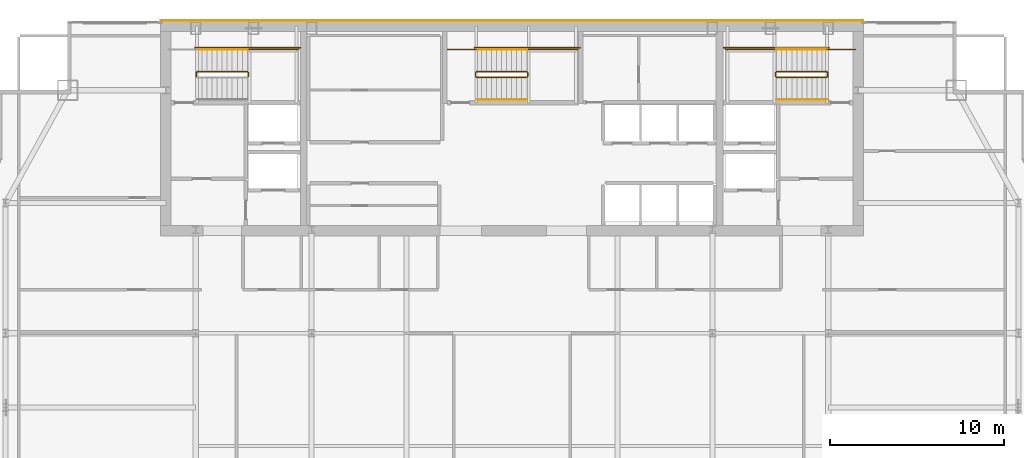
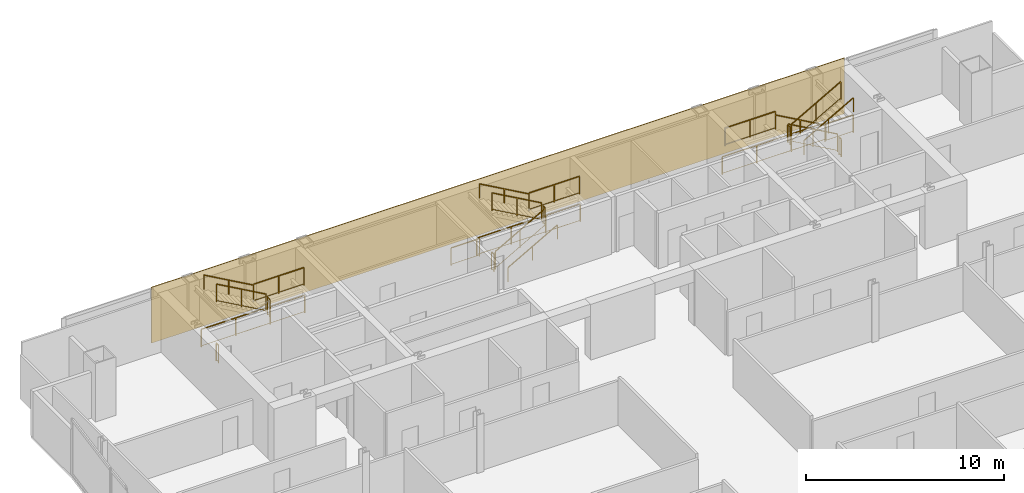
# One storey, part 32 of 32: 24 railings, 1 covering.
"""IFC4 building model written with IfcOpenShell, lengths in metres."""

from ifc_helpers import new_model, si_unit, direction, frame, origin, origin_2d, place, context, subcontext, project, spatial, polyline, rectangle, outline, extrude, material, layer, layer_set, type_object, element, save


model = new_model("IFC4")

# Units and contexts
model_context = context("Model", 3, precision=1e-05, world=origin(), true_north=direction((0.0, 1.0)))
body_context = subcontext(model_context, "Body", "Model", "MODEL_VIEW")
ifc_project = project(units=[si_unit("LENGTHUNIT", "METRE"), si_unit("AREAUNIT", "SQUARE_METRE"), si_unit("VOLUMEUNIT", "CUBIC_METRE"), si_unit("PLANEANGLEUNIT", "RADIAN"), si_unit("MASSUNIT", "GRAM", prefix="KILO")], contexts=[model_context])

# Site, building, storey
site_placement = place(None, origin())
site = spatial("IfcSite", under=ifc_project, at=site_placement, CompositionType="ELEMENT")
building_placement = place(site_placement, origin())
building = spatial("IfcBuilding", under=site, at=building_placement, Name="Khoronbel Lancet Exchange", CompositionType="ELEMENT")
storey_placement = place(building_placement, frame((0.0, 0.0, 195.800048828125)))
storey = spatial("IfcBuildingStorey", under=building, at=storey_placement, Name="L49", CompositionType="ELEMENT", Elevation=195.800048828125)

# Covering
ifc_material_1 = material(Name="Honed Egyptian Limestone & Bronze Rainscreen", Category="masonry")
ifc_layer = layer(ifc_material_1, 0.050048828125, Name="Honed Egyptian Limestone & Bronze Rainscreen")
ifc_layer_set = layer_set([ifc_layer], Name="Honed Egyptian Limestone & Bronze Rainscreen")
covering_type = type_object("IfcCoveringType", Name="COV-CLAD1", PredefinedType="CLADDING", material=ifc_layer_set)
covering_placement = place(storey_placement, origin())
element("IfcCovering", 1, at=covering_placement, inside=storey, type_object=covering_type, Name="Level L49 north rear-core stone and bronze rainscreen cladding", PredefinedType="CLADDING", context=body_context, shape_type="SweptSolid", body=[
    extrude(outline(polyline([(16.199951171875, 53.699951171875), (56.699951171875, 53.699951171875), (56.699951171875, 53.75), (16.199951171875, 53.75), (16.199951171875, 53.699951171875)])), origin(), (0.0, 0.0, 1.0), 3.43994140625),
])

# Railings
ifc_material_2 = material(Name="Painted Steel Balustrade", Category="steel")
railing_type_1 = type_object("IfcRailingType", Name="RL-STG110", PredefinedType="GUARDRAIL", material=ifc_material_2)
railing_1_placement = place(storey_placement, frame((21.25, 50.5, 1.800048828125)))
element("IfcRailing", 2, at=railing_1_placement, inside=storey, type_object=railing_type_1, Name="L49 ST1 stair guard 2", PredefinedType="GUARDRAIL", context=body_context, shape_type="SweptSolid", body=[
    extrude(rectangle(XDim=0.048095703125, YDim=0.048095703125, at=origin_2d()), frame((0.0, 0.0, 1.09619140625), z_axis=(0.0, 1.0, 0.0), x_axis=(-1.0, 0.0, 0.0)), (0.0, 0.0, 1.0), 0.219970703125),
    extrude(rectangle(XDim=0.02392578125, YDim=0.02392578125, at=origin_2d()), frame((0.0, 0.0, 0.080078125), z_axis=(0.0, 1.0, 0.0), x_axis=(-1.0, 0.0, 0.0)), (0.0, 0.0, 1.0), 0.219970703125),
    extrude(rectangle(XDim=0.0419921875, YDim=0.0419921875, at=origin_2d()), origin(), (0.0, 0.0, 1.0), 1.072021484375),
    extrude(rectangle(XDim=0.0419921875, YDim=0.0419921875, at=origin_2d()), frame((0.0, 0.219970703125, 0.0)), (0.0, 0.0, 1.0), 1.072021484375),
])
railing_2_placement = place(storey_placement, frame((21.199951171875, 52.050048828125, 1.800048828125)))
element("IfcRailing", 3, at=railing_2_placement, inside=storey, type_object=railing_type_1, Name="L49 ST1 stair guard 3", PredefinedType="GUARDRAIL", context=body_context, shape_type="SweptSolid", body=[
    extrude(rectangle(XDim=0.048095703125, YDim=0.048095703125, at=origin_2d()), frame((0.0, 0.0, 1.09619140625), z_axis=(1.0, 0.0, 0.0), x_axis=(0.0, 1.0, 0.0)), (0.0, 0.0, 1.0), 2.949951171875),
    extrude(rectangle(XDim=0.02392578125, YDim=0.02392578125, at=origin_2d()), frame((0.0, 0.0, 0.080078125), z_axis=(1.0, 0.0, 0.0), x_axis=(0.0, 1.0, 0.0)), (0.0, 0.0, 1.0), 2.949951171875),
    extrude(rectangle(XDim=0.0419921875, YDim=0.0419921875, at=origin_2d()), origin(), (0.0, 0.0, 1.0), 1.072021484375),
    extrude(rectangle(XDim=0.0419921875, YDim=0.0419921875, at=origin_2d()), frame((1.47509765625, 0.0, 0.0)), (0.0, 0.0, 1.0), 1.072021484375),
    extrude(rectangle(XDim=0.0419921875, YDim=0.0419921875, at=origin_2d()), frame((2.949951171875, 0.0, 0.0)), (0.0, 0.0, 1.0), 1.072021484375),
])
railing_3_placement = place(storey_placement, frame((21.199951171875, 50.77001953125, 1.963623046875)))
element("IfcRailing", 4, at=railing_3_placement, inside=storey, type_object=railing_type_1, Name="L49 ST1 stair guard 4", PredefinedType="GUARDRAIL", context=body_context, shape_type="SweptSolid", body=[
    extrude(rectangle(XDim=0.048095703125, YDim=0.048095703125, at=origin_2d()), frame((0.0, 0.0, 1.09619140625), z_axis=(-0.870928581787, 0.0, 0.491409610636), x_axis=(0.0, -1.0, 0.0)), (0.0, 0.0, 1.0), 3.32958984375),
    extrude(rectangle(XDim=0.02392578125, YDim=0.02392578125, at=origin_2d()), frame((0.0, 0.0, 0.080078125), z_axis=(-0.870928581787, 0.0, 0.491409610636), x_axis=(0.0, -1.0, 0.0)), (0.0, 0.0, 1.0), 3.32958984375),
    extrude(rectangle(XDim=0.0419921875, YDim=0.0419921875, at=origin_2d()), origin(), (0.0, 0.0, 1.0), 1.072021484375),
    extrude(rectangle(XDim=0.0419921875, YDim=0.0419921875, at=origin_2d()), frame((-1.449951171875, 0.0, 0.818115234375)), (0.0, 0.0, 1.0), 1.072021484375),
    extrude(rectangle(XDim=0.0419921875, YDim=0.0419921875, at=origin_2d()), frame((-2.89990234375, 0.0, 1.63623046875)), (0.0, 0.0, 1.0), 1.072021484375),
])
railing_4_placement = place(storey_placement, frame((18.25, 50.5, 0.0)))
element("IfcRailing", 5, at=railing_4_placement, inside=storey, type_object=railing_type_1, Name="L49 ST1 stair guard 5", PredefinedType="GUARDRAIL", context=body_context, shape_type="SweptSolid", body=[
    extrude(rectangle(XDim=0.048095703125, YDim=0.048095703125, at=origin_2d()), frame((0.0, 0.0, 1.09619140625), z_axis=(0.0, 1.0, 0.0), x_axis=(-1.0, 0.0, 0.0)), (0.0, 0.0, 1.0), 0.219970703125),
    extrude(rectangle(XDim=0.02392578125, YDim=0.02392578125, at=origin_2d()), frame((0.0, 0.0, 0.080078125), z_axis=(0.0, 1.0, 0.0), x_axis=(-1.0, 0.0, 0.0)), (0.0, 0.0, 1.0), 0.219970703125),
    extrude(rectangle(XDim=0.0419921875, YDim=0.0419921875, at=origin_2d()), origin(), (0.0, 0.0, 1.0), 1.072021484375),
    extrude(rectangle(XDim=0.0419921875, YDim=0.0419921875, at=origin_2d()), frame((0.0, 0.219970703125, 0.0)), (0.0, 0.0, 1.0), 1.072021484375),
])
railing_5_placement = place(storey_placement, frame((18.199951171875, 52.14990234375, 0.0)))
element("IfcRailing", 6, at=railing_5_placement, inside=storey, type_object=railing_type_1, Name="L49 ST1 stair guard 7", PredefinedType="GUARDRAIL", context=body_context, shape_type="SweptSolid", body=[
    extrude(rectangle(XDim=0.048095703125, YDim=0.048095703125, at=origin_2d()), frame((0.0, 0.0, 1.09619140625), z_axis=(1.0, 0.0, 0.0), x_axis=(0.0, 1.0, 0.0)), (0.0, 0.0, 1.0), 6.050048828125),
    extrude(rectangle(XDim=0.02392578125, YDim=0.02392578125, at=origin_2d()), frame((0.0, 0.0, 0.080078125), z_axis=(1.0, 0.0, 0.0), x_axis=(0.0, 1.0, 0.0)), (0.0, 0.0, 1.0), 6.050048828125),
    extrude(rectangle(XDim=0.0419921875, YDim=0.0419921875, at=origin_2d()), origin(), (0.0, 0.0, 1.0), 1.072021484375),
    extrude(rectangle(XDim=0.0419921875, YDim=0.0419921875, at=origin_2d()), frame((2.0166015625, 0.0, 0.0)), (0.0, 0.0, 1.0), 1.072021484375),
    extrude(rectangle(XDim=0.0419921875, YDim=0.0419921875, at=origin_2d()), frame((4.033447265625, 0.0, 0.0)), (0.0, 0.0, 1.0), 1.072021484375),
    extrude(rectangle(XDim=0.0419921875, YDim=0.0419921875, at=origin_2d()), frame((6.050048828125, 0.0, 0.0)), (0.0, 0.0, 1.0), 1.072021484375),
])
railing_6_placement = place(storey_placement, frame((54.60009765625, 50.77001953125, 0.16357421875)))
element("IfcRailing", 7, at=railing_6_placement, inside=storey, type_object=railing_type_1, Name="L49 ST2 stair guard 1", PredefinedType="GUARDRAIL", context=body_context, shape_type="SweptSolid", body=[
    extrude(rectangle(XDim=0.048095703125, YDim=0.048095703125, at=origin_2d()), frame((0.0, 0.0, 1.09619140625), z_axis=(-0.870914908162, 0.0, 0.491433843708), x_axis=(0.0, -1.0, 0.0)), (0.0, 0.0, 1.0), 3.330078125),
    extrude(rectangle(XDim=0.02392578125, YDim=0.02392578125, at=origin_2d()), frame((0.0, 0.0, 0.080078125), z_axis=(-0.870914908162, 0.0, 0.491433843708), x_axis=(0.0, -1.0, 0.0)), (0.0, 0.0, 1.0), 3.330078125),
    extrude(rectangle(XDim=0.0419921875, YDim=0.0419921875, at=origin_2d()), origin(), (0.0, 0.0, 1.0), 1.072021484375),
    extrude(rectangle(XDim=0.0419921875, YDim=0.0419921875, at=origin_2d()), frame((-1.4501953125, 0.0, 0.818359375)), (0.0, 0.0, 1.0), 1.072021484375),
    extrude(rectangle(XDim=0.0419921875, YDim=0.0419921875, at=origin_2d()), frame((-2.900146484375, 0.0, 1.636474609375)), (0.0, 0.0, 1.0), 1.072021484375),
])
railing_7_placement = place(storey_placement, frame((51.64990234375, 50.719970703125, 1.800048828125)))
element("IfcRailing", 8, at=railing_7_placement, inside=storey, type_object=railing_type_1, Name="L49 ST2 stair guard 2", PredefinedType="GUARDRAIL", context=body_context, shape_type="SweptSolid", body=[
    extrude(rectangle(XDim=0.048095703125, YDim=0.048095703125, at=origin_2d()), frame((0.0, 0.0, 1.09619140625), z_axis=(0.0, -1.0, 0.0), x_axis=(1.0, 0.0, 0.0)), (0.0, 0.0, 1.0), 0.219970703125),
    extrude(rectangle(XDim=0.02392578125, YDim=0.02392578125, at=origin_2d()), frame((0.0, 0.0, 0.080078125), z_axis=(0.0, -1.0, 0.0), x_axis=(1.0, 0.0, 0.0)), (0.0, 0.0, 1.0), 0.219970703125),
    extrude(rectangle(XDim=0.0419921875, YDim=0.0419921875, at=origin_2d()), origin(), (0.0, 0.0, 1.0), 1.072021484375),
    extrude(rectangle(XDim=0.0419921875, YDim=0.0419921875, at=origin_2d()), frame((0.0, -0.219970703125, 0.0)), (0.0, 0.0, 1.0), 1.072021484375),
])
railing_8_placement = place(storey_placement, frame((51.699951171875, 52.050048828125, 1.800048828125)))
element("IfcRailing", 9, at=railing_8_placement, inside=storey, type_object=railing_type_1, Name="L49 ST2 stair guard 3", PredefinedType="GUARDRAIL", context=body_context, shape_type="SweptSolid", body=[
    extrude(rectangle(XDim=0.048095703125, YDim=0.048095703125, at=origin_2d()), frame((0.0, 0.0, 1.09619140625), z_axis=(-1.0, 0.0, 0.0), x_axis=(0.0, -1.0, 0.0)), (0.0, 0.0, 1.0), 2.949951171875),
    extrude(rectangle(XDim=0.02392578125, YDim=0.02392578125, at=origin_2d()), frame((0.0, 0.0, 0.080078125), z_axis=(-1.0, 0.0, 0.0), x_axis=(0.0, -1.0, 0.0)), (0.0, 0.0, 1.0), 2.949951171875),
    extrude(rectangle(XDim=0.0419921875, YDim=0.0419921875, at=origin_2d()), origin(), (0.0, 0.0, 1.0), 1.072021484375),
    extrude(rectangle(XDim=0.0419921875, YDim=0.0419921875, at=origin_2d()), frame((-1.47509765625, 0.0, 0.0)), (0.0, 0.0, 1.0), 1.072021484375),
    extrude(rectangle(XDim=0.0419921875, YDim=0.0419921875, at=origin_2d()), frame((-2.949951171875, 0.0, 0.0)), (0.0, 0.0, 1.0), 1.072021484375),
])
railing_9_placement = place(storey_placement, frame((51.699951171875, 50.449951171875, 1.963623046875)))
element("IfcRailing", 10, at=railing_9_placement, inside=storey, type_object=railing_type_1, Name="L49 ST2 stair guard 4", PredefinedType="GUARDRAIL", context=body_context, shape_type="SweptSolid", body=[
    extrude(rectangle(XDim=0.048095703125, YDim=0.048095703125, at=origin_2d()), frame((0.0, 0.0, 1.09619140625), z_axis=(0.870946286338, 0.0, 0.49137823142), x_axis=(0.0, 1.0, 0.0)), (0.0, 0.0, 1.0), 3.329833984375),
    extrude(rectangle(XDim=0.02392578125, YDim=0.02392578125, at=origin_2d()), frame((0.0, 0.0, 0.080078125), z_axis=(0.870946286338, 0.0, 0.49137823142), x_axis=(0.0, 1.0, 0.0)), (0.0, 0.0, 1.0), 3.329833984375),
    extrude(rectangle(XDim=0.0419921875, YDim=0.0419921875, at=origin_2d()), origin(), (0.0, 0.0, 1.0), 1.072021484375),
    extrude(rectangle(XDim=0.0419921875, YDim=0.0419921875, at=origin_2d()), frame((1.4501953125, 0.0, 0.818115234375)), (0.0, 0.0, 1.0), 1.072021484375),
    extrude(rectangle(XDim=0.0419921875, YDim=0.0419921875, at=origin_2d()), frame((2.900146484375, 0.0, 1.63623046875)), (0.0, 0.0, 1.0), 1.072021484375),
])
railing_10_placement = place(storey_placement, frame((54.64990234375, 50.719970703125, 0.0)))
element("IfcRailing", 11, at=railing_10_placement, inside=storey, type_object=railing_type_1, Name="L49 ST2 stair guard 5", PredefinedType="GUARDRAIL", context=body_context, shape_type="SweptSolid", body=[
    extrude(rectangle(XDim=0.048095703125, YDim=0.048095703125, at=origin_2d()), frame((0.0, 0.0, 1.09619140625), z_axis=(0.0, -1.0, 0.0), x_axis=(1.0, 0.0, 0.0)), (0.0, 0.0, 1.0), 0.219970703125),
    extrude(rectangle(XDim=0.02392578125, YDim=0.02392578125, at=origin_2d()), frame((0.0, 0.0, 0.080078125), z_axis=(0.0, -1.0, 0.0), x_axis=(1.0, 0.0, 0.0)), (0.0, 0.0, 1.0), 0.219970703125),
    extrude(rectangle(XDim=0.0419921875, YDim=0.0419921875, at=origin_2d()), origin(), (0.0, 0.0, 1.0), 1.072021484375),
    extrude(rectangle(XDim=0.0419921875, YDim=0.0419921875, at=origin_2d()), frame((0.0, -0.219970703125, 0.0)), (0.0, 0.0, 1.0), 1.072021484375),
])
railing_11_placement = place(storey_placement, frame((56.25, 52.050048828125, 0.0)))
element("IfcRailing", 12, at=railing_11_placement, inside=storey, type_object=railing_type_1, Name="L49 ST2 stair guard 6", PredefinedType="GUARDRAIL", context=body_context, shape_type="SweptSolid", body=[
    extrude(rectangle(XDim=0.048095703125, YDim=0.048095703125, at=origin_2d()), frame((0.0, 0.0, 1.09619140625), z_axis=(-1.0, 0.0, 0.0), x_axis=(0.0, -1.0, 0.0)), (0.0, 0.0, 1.0), 1.64990234375),
    extrude(rectangle(XDim=0.02392578125, YDim=0.02392578125, at=origin_2d()), frame((0.0, 0.0, 0.080078125), z_axis=(-1.0, 0.0, 0.0), x_axis=(0.0, -1.0, 0.0)), (0.0, 0.0, 1.0), 1.64990234375),
    extrude(rectangle(XDim=0.0419921875, YDim=0.0419921875, at=origin_2d()), origin(), (0.0, 0.0, 1.0), 1.072021484375),
    extrude(rectangle(XDim=0.0419921875, YDim=0.0419921875, at=origin_2d()), frame((-1.64990234375, 0.0, 0.0)), (0.0, 0.0, 1.0), 1.072021484375),
])
railing_12_placement = place(storey_placement, frame((54.699951171875, 52.14990234375, 0.0)))
element("IfcRailing", 13, at=railing_12_placement, inside=storey, type_object=railing_type_1, Name="L49 ST2 stair guard 7", PredefinedType="GUARDRAIL", context=body_context, shape_type="SweptSolid", body=[
    extrude(rectangle(XDim=0.048095703125, YDim=0.048095703125, at=origin_2d()), frame((0.0, 0.0, 1.09619140625), z_axis=(-1.0, 0.0, 0.0), x_axis=(0.0, -1.0, 0.0)), (0.0, 0.0, 1.0), 6.050048828125),
    extrude(rectangle(XDim=0.02392578125, YDim=0.02392578125, at=origin_2d()), frame((0.0, 0.0, 0.080078125), z_axis=(-1.0, 0.0, 0.0), x_axis=(0.0, -1.0, 0.0)), (0.0, 0.0, 1.0), 6.050048828125),
    extrude(rectangle(XDim=0.0419921875, YDim=0.0419921875, at=origin_2d()), origin(), (0.0, 0.0, 1.0), 1.072021484375),
    extrude(rectangle(XDim=0.0419921875, YDim=0.0419921875, at=origin_2d()), frame((-2.0166015625, 0.0, 0.0)), (0.0, 0.0, 1.0), 1.072021484375),
    extrude(rectangle(XDim=0.0419921875, YDim=0.0419921875, at=origin_2d()), frame((-4.033447265625, 0.0, 0.0)), (0.0, 0.0, 1.0), 1.072021484375),
    extrude(rectangle(XDim=0.0419921875, YDim=0.0419921875, at=origin_2d()), frame((-6.050048828125, 0.0, 0.0)), (0.0, 0.0, 1.0), 1.072021484375),
])
railing_13_placement = place(storey_placement, frame((34.39990234375, 50.449951171875, 0.16357421875)))
element("IfcRailing", 14, at=railing_13_placement, inside=storey, type_object=railing_type_1, Name="L49 ST3 stair guard 1", PredefinedType="GUARDRAIL", context=body_context, shape_type="SweptSolid", body=[
    extrude(rectangle(XDim=0.048095703125, YDim=0.048095703125, at=origin_2d()), frame((0.0, 0.0, 1.09619140625), z_axis=(0.870914908162, 0.0, 0.491433843708), x_axis=(0.0, 1.0, 0.0)), (0.0, 0.0, 1.0), 3.330078125),
    extrude(rectangle(XDim=0.02392578125, YDim=0.02392578125, at=origin_2d()), frame((0.0, 0.0, 0.080078125), z_axis=(0.870914908162, 0.0, 0.491433843708), x_axis=(0.0, 1.0, 0.0)), (0.0, 0.0, 1.0), 3.330078125),
    extrude(rectangle(XDim=0.0419921875, YDim=0.0419921875, at=origin_2d()), origin(), (0.0, 0.0, 1.0), 1.072021484375),
    extrude(rectangle(XDim=0.0419921875, YDim=0.0419921875, at=origin_2d()), frame((1.4501953125, 0.0, 0.818359375)), (0.0, 0.0, 1.0), 1.072021484375),
    extrude(rectangle(XDim=0.0419921875, YDim=0.0419921875, at=origin_2d()), frame((2.900146484375, 0.0, 1.636474609375)), (0.0, 0.0, 1.0), 1.072021484375),
])
railing_14_placement = place(storey_placement, frame((37.35009765625, 50.5, 1.800048828125)))
element("IfcRailing", 15, at=railing_14_placement, inside=storey, type_object=railing_type_1, Name="L49 ST3 stair guard 2", PredefinedType="GUARDRAIL", context=body_context, shape_type="SweptSolid", body=[
    extrude(rectangle(XDim=0.048095703125, YDim=0.048095703125, at=origin_2d()), frame((0.0, 0.0, 1.09619140625), z_axis=(0.0, 1.0, 0.0), x_axis=(-1.0, 0.0, 0.0)), (0.0, 0.0, 1.0), 0.219970703125),
    extrude(rectangle(XDim=0.02392578125, YDim=0.02392578125, at=origin_2d()), frame((0.0, 0.0, 0.080078125), z_axis=(0.0, 1.0, 0.0), x_axis=(-1.0, 0.0, 0.0)), (0.0, 0.0, 1.0), 0.219970703125),
    extrude(rectangle(XDim=0.0419921875, YDim=0.0419921875, at=origin_2d()), origin(), (0.0, 0.0, 1.0), 1.072021484375),
    extrude(rectangle(XDim=0.0419921875, YDim=0.0419921875, at=origin_2d()), frame((0.0, 0.219970703125, 0.0)), (0.0, 0.0, 1.0), 1.072021484375),
])
railing_15_placement = place(storey_placement, frame((37.300048828125, 52.050048828125, 1.800048828125)))
element("IfcRailing", 16, at=railing_15_placement, inside=storey, type_object=railing_type_1, Name="L49 ST3 stair guard 3", PredefinedType="GUARDRAIL", context=body_context, shape_type="SweptSolid", body=[
    extrude(rectangle(XDim=0.048095703125, YDim=0.048095703125, at=origin_2d()), frame((0.0, 0.0, 1.09619140625), z_axis=(1.0, 0.0, 0.0), x_axis=(0.0, 1.0, 0.0)), (0.0, 0.0, 1.0), 2.949951171875),
    extrude(rectangle(XDim=0.02392578125, YDim=0.02392578125, at=origin_2d()), frame((0.0, 0.0, 0.080078125), z_axis=(1.0, 0.0, 0.0), x_axis=(0.0, 1.0, 0.0)), (0.0, 0.0, 1.0), 2.949951171875),
    extrude(rectangle(XDim=0.0419921875, YDim=0.0419921875, at=origin_2d()), origin(), (0.0, 0.0, 1.0), 1.072021484375),
    extrude(rectangle(XDim=0.0419921875, YDim=0.0419921875, at=origin_2d()), frame((1.47509765625, 0.0, 0.0)), (0.0, 0.0, 1.0), 1.072021484375),
    extrude(rectangle(XDim=0.0419921875, YDim=0.0419921875, at=origin_2d()), frame((2.949951171875, 0.0, 0.0)), (0.0, 0.0, 1.0), 1.072021484375),
])
railing_16_placement = place(storey_placement, frame((37.300048828125, 50.77001953125, 1.963623046875)))
element("IfcRailing", 17, at=railing_16_placement, inside=storey, type_object=railing_type_1, Name="L49 ST3 stair guard 4", PredefinedType="GUARDRAIL", context=body_context, shape_type="SweptSolid", body=[
    extrude(rectangle(XDim=0.048095703125, YDim=0.048095703125, at=origin_2d()), frame((0.0, 0.0, 1.09619140625), z_axis=(-0.870946286338, 0.0, 0.49137823142), x_axis=(0.0, -1.0, 0.0)), (0.0, 0.0, 1.0), 3.329833984375),
    extrude(rectangle(XDim=0.02392578125, YDim=0.02392578125, at=origin_2d()), frame((0.0, 0.0, 0.080078125), z_axis=(-0.870946286338, 0.0, 0.49137823142), x_axis=(0.0, -1.0, 0.0)), (0.0, 0.0, 1.0), 3.329833984375),
    extrude(rectangle(XDim=0.0419921875, YDim=0.0419921875, at=origin_2d()), origin(), (0.0, 0.0, 1.0), 1.072021484375),
    extrude(rectangle(XDim=0.0419921875, YDim=0.0419921875, at=origin_2d()), frame((-1.4501953125, 0.0, 0.818115234375)), (0.0, 0.0, 1.0), 1.072021484375),
    extrude(rectangle(XDim=0.0419921875, YDim=0.0419921875, at=origin_2d()), frame((-2.900146484375, 0.0, 1.63623046875)), (0.0, 0.0, 1.0), 1.072021484375),
])
railing_17_placement = place(storey_placement, frame((34.35009765625, 50.5, 0.0)))
element("IfcRailing", 18, at=railing_17_placement, inside=storey, type_object=railing_type_1, Name="L49 ST3 stair guard 5", PredefinedType="GUARDRAIL", context=body_context, shape_type="SweptSolid", body=[
    extrude(rectangle(XDim=0.048095703125, YDim=0.048095703125, at=origin_2d()), frame((0.0, 0.0, 1.09619140625), z_axis=(0.0, 1.0, 0.0), x_axis=(-1.0, 0.0, 0.0)), (0.0, 0.0, 1.0), 0.219970703125),
    extrude(rectangle(XDim=0.02392578125, YDim=0.02392578125, at=origin_2d()), frame((0.0, 0.0, 0.080078125), z_axis=(0.0, 1.0, 0.0), x_axis=(-1.0, 0.0, 0.0)), (0.0, 0.0, 1.0), 0.219970703125),
    extrude(rectangle(XDim=0.0419921875, YDim=0.0419921875, at=origin_2d()), origin(), (0.0, 0.0, 1.0), 1.072021484375),
    extrude(rectangle(XDim=0.0419921875, YDim=0.0419921875, at=origin_2d()), frame((0.0, 0.219970703125, 0.0)), (0.0, 0.0, 1.0), 1.072021484375),
])
railing_18_placement = place(storey_placement, frame((32.75, 52.050048828125, 0.0)))
element("IfcRailing", 19, at=railing_18_placement, inside=storey, type_object=railing_type_1, Name="L49 ST3 stair guard 6", PredefinedType="GUARDRAIL", context=body_context, shape_type="SweptSolid", body=[
    extrude(rectangle(XDim=0.048095703125, YDim=0.048095703125, at=origin_2d()), frame((0.0, 0.0, 1.09619140625), z_axis=(1.0, 0.0, 0.0), x_axis=(0.0, 1.0, 0.0)), (0.0, 0.0, 1.0), 1.64990234375),
    extrude(rectangle(XDim=0.02392578125, YDim=0.02392578125, at=origin_2d()), frame((0.0, 0.0, 0.080078125), z_axis=(1.0, 0.0, 0.0), x_axis=(0.0, 1.0, 0.0)), (0.0, 0.0, 1.0), 1.64990234375),
    extrude(rectangle(XDim=0.0419921875, YDim=0.0419921875, at=origin_2d()), origin(), (0.0, 0.0, 1.0), 1.072021484375),
    extrude(rectangle(XDim=0.0419921875, YDim=0.0419921875, at=origin_2d()), frame((1.64990234375, 0.0, 0.0)), (0.0, 0.0, 1.0), 1.072021484375),
])
railing_19_placement = place(storey_placement, frame((34.300048828125, 52.14990234375, 0.0)))
element("IfcRailing", 20, at=railing_19_placement, inside=storey, type_object=railing_type_1, Name="L49 ST3 stair guard 7", PredefinedType="GUARDRAIL", context=body_context, shape_type="SweptSolid", body=[
    extrude(rectangle(XDim=0.048095703125, YDim=0.048095703125, at=origin_2d()), frame((0.0, 0.0, 1.09619140625), z_axis=(1.0, 0.0, 0.0), x_axis=(0.0, 1.0, 0.0)), (0.0, 0.0, 1.0), 6.050048828125),
    extrude(rectangle(XDim=0.02392578125, YDim=0.02392578125, at=origin_2d()), frame((0.0, 0.0, 0.080078125), z_axis=(1.0, 0.0, 0.0), x_axis=(0.0, 1.0, 0.0)), (0.0, 0.0, 1.0), 6.050048828125),
    extrude(rectangle(XDim=0.0419921875, YDim=0.0419921875, at=origin_2d()), origin(), (0.0, 0.0, 1.0), 1.072021484375),
    extrude(rectangle(XDim=0.0419921875, YDim=0.0419921875, at=origin_2d()), frame((2.0166015625, 0.0, 0.0)), (0.0, 0.0, 1.0), 1.072021484375),
    extrude(rectangle(XDim=0.0419921875, YDim=0.0419921875, at=origin_2d()), frame((4.033447265625, 0.0, 0.0)), (0.0, 0.0, 1.0), 1.072021484375),
    extrude(rectangle(XDim=0.0419921875, YDim=0.0419921875, at=origin_2d()), frame((6.050048828125, 0.0, 0.0)), (0.0, 0.0, 1.0), 1.072021484375),
])
ifc_material_3 = material(Name="Brushed Stainless Steel 316", Category="steel")
railing_type_2 = type_object("IfcRailingType", Name="RL-STH92", PredefinedType="HANDRAIL", material=ifc_material_3)
railing_20_placement = place(storey_placement, frame((21.199951171875, 52.050048828125, 1.963623046875)))
element("IfcRailing", 21, at=railing_20_placement, inside=storey, type_object=railing_type_2, Name="L49 ST1 stair handrail 2", PredefinedType="HANDRAIL", context=body_context, shape_type="SweptSolid", body=[
    extrude(rectangle(XDim=0.048095703125, YDim=0.048095703125, at=origin_2d()), frame((0.0, 0.0, 0.8759765625), z_axis=(-0.870928581787, 0.0, 0.491409610636), x_axis=(0.0, -1.0, 0.0)), (0.0, 0.0, 1.0), 3.32958984375),
    extrude(rectangle(XDim=0.0419921875, YDim=0.0419921875, at=origin_2d()), origin(), (0.0, 0.0, 1.0), 0.851806640625),
    extrude(rectangle(XDim=0.0419921875, YDim=0.0419921875, at=origin_2d()), frame((-1.449951171875, 0.0, 0.818115234375)), (0.0, 0.0, 1.0), 0.851806640625),
    extrude(rectangle(XDim=0.0419921875, YDim=0.0419921875, at=origin_2d()), frame((-2.89990234375, 0.0, 1.63623046875)), (0.0, 0.0, 1.0), 0.851806640625),
])
railing_21_placement = place(storey_placement, frame((54.60009765625, 52.050048828125, 0.16357421875)))
element("IfcRailing", 22, at=railing_21_placement, inside=storey, type_object=railing_type_2, Name="L49 ST2 stair handrail 1", PredefinedType="HANDRAIL", context=body_context, shape_type="SweptSolid", body=[
    extrude(rectangle(XDim=0.048095703125, YDim=0.048095703125, at=origin_2d()), frame((0.0, 0.0, 0.8759765625), z_axis=(-0.870914908162, 0.0, 0.491433843708), x_axis=(0.0, -1.0, 0.0)), (0.0, 0.0, 1.0), 3.330078125),
    extrude(rectangle(XDim=0.0419921875, YDim=0.0419921875, at=origin_2d()), origin(), (0.0, 0.0, 1.0), 0.851806640625),
    extrude(rectangle(XDim=0.0419921875, YDim=0.0419921875, at=origin_2d()), frame((-1.4501953125, 0.0, 0.818359375)), (0.0, 0.0, 1.0), 0.851806640625),
    extrude(rectangle(XDim=0.0419921875, YDim=0.0419921875, at=origin_2d()), frame((-2.900146484375, 0.0, 1.636474609375)), (0.0, 0.0, 1.0), 0.851806640625),
])
railing_22_placement = place(storey_placement, frame((51.699951171875, 49.169921875, 1.963623046875)))
element("IfcRailing", 23, at=railing_22_placement, inside=storey, type_object=railing_type_2, Name="L49 ST2 stair handrail 2", PredefinedType="HANDRAIL", context=body_context, shape_type="SweptSolid", body=[
    extrude(rectangle(XDim=0.048095703125, YDim=0.048095703125, at=origin_2d()), frame((0.0, 0.0, 0.8759765625), z_axis=(0.870946286338, 0.0, 0.49137823142), x_axis=(0.0, 1.0, 0.0)), (0.0, 0.0, 1.0), 3.329833984375),
    extrude(rectangle(XDim=0.0419921875, YDim=0.0419921875, at=origin_2d()), origin(), (0.0, 0.0, 1.0), 0.851806640625),
    extrude(rectangle(XDim=0.0419921875, YDim=0.0419921875, at=origin_2d()), frame((1.4501953125, 0.0, 0.818115234375)), (0.0, 0.0, 1.0), 0.851806640625),
    extrude(rectangle(XDim=0.0419921875, YDim=0.0419921875, at=origin_2d()), frame((2.900146484375, 0.0, 1.63623046875)), (0.0, 0.0, 1.0), 0.851806640625),
])
railing_23_placement = place(storey_placement, frame((34.39990234375, 49.169921875, 0.16357421875)))
element("IfcRailing", 24, at=railing_23_placement, inside=storey, type_object=railing_type_2, Name="L49 ST3 stair handrail 1", PredefinedType="HANDRAIL", context=body_context, shape_type="SweptSolid", body=[
    extrude(rectangle(XDim=0.048095703125, YDim=0.048095703125, at=origin_2d()), frame((0.0, 0.0, 0.8759765625), z_axis=(0.870914908162, 0.0, 0.491433843708), x_axis=(0.0, 1.0, 0.0)), (0.0, 0.0, 1.0), 3.330078125),
    extrude(rectangle(XDim=0.0419921875, YDim=0.0419921875, at=origin_2d()), origin(), (0.0, 0.0, 1.0), 0.851806640625),
    extrude(rectangle(XDim=0.0419921875, YDim=0.0419921875, at=origin_2d()), frame((1.4501953125, 0.0, 0.818359375)), (0.0, 0.0, 1.0), 0.851806640625),
    extrude(rectangle(XDim=0.0419921875, YDim=0.0419921875, at=origin_2d()), frame((2.900146484375, 0.0, 1.636474609375)), (0.0, 0.0, 1.0), 0.851806640625),
])
railing_24_placement = place(storey_placement, frame((37.300048828125, 52.050048828125, 1.963623046875)))
element("IfcRailing", 25, at=railing_24_placement, inside=storey, type_object=railing_type_2, Name="L49 ST3 stair handrail 2", PredefinedType="HANDRAIL", context=body_context, shape_type="SweptSolid", body=[
    extrude(rectangle(XDim=0.048095703125, YDim=0.048095703125, at=origin_2d()), frame((0.0, 0.0, 0.8759765625), z_axis=(-0.870946286338, 0.0, 0.49137823142), x_axis=(0.0, -1.0, 0.0)), (0.0, 0.0, 1.0), 3.329833984375),
    extrude(rectangle(XDim=0.0419921875, YDim=0.0419921875, at=origin_2d()), origin(), (0.0, 0.0, 1.0), 0.851806640625),
    extrude(rectangle(XDim=0.0419921875, YDim=0.0419921875, at=origin_2d()), frame((-1.4501953125, 0.0, 0.818115234375)), (0.0, 0.0, 1.0), 0.851806640625),
    extrude(rectangle(XDim=0.0419921875, YDim=0.0419921875, at=origin_2d()), frame((-2.900146484375, 0.0, 1.63623046875)), (0.0, 0.0, 1.0), 0.851806640625),
])

save(model, "model.ifc")
